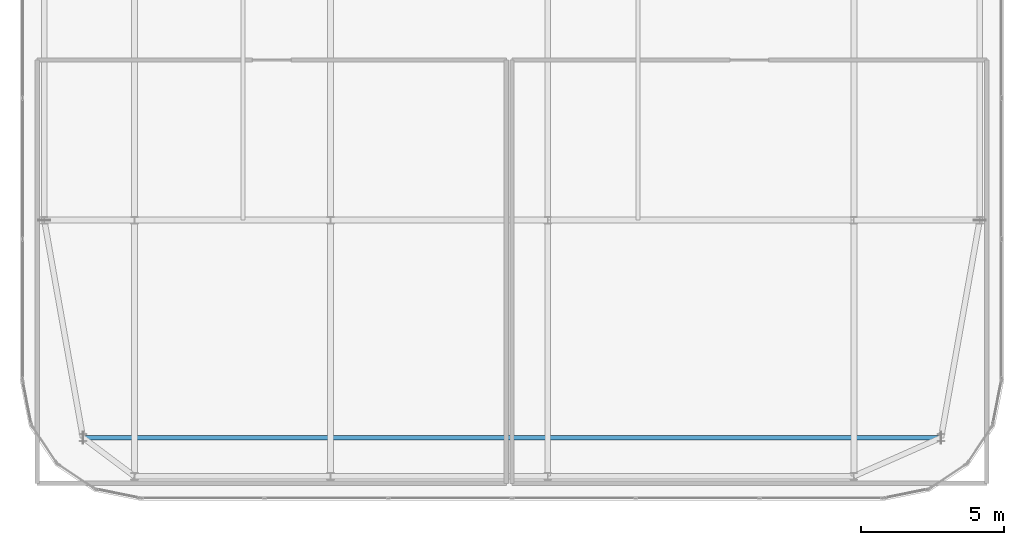
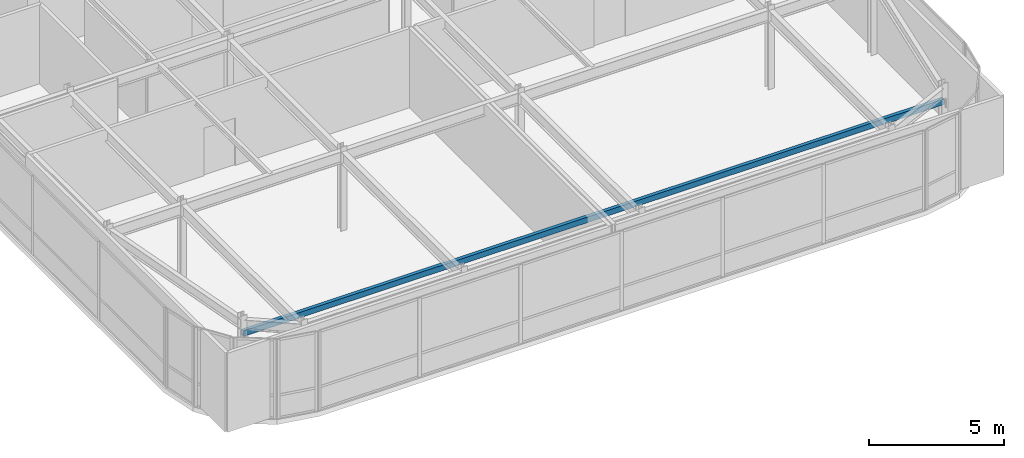
# One storey, part 11 of 36: 1 member.
"""IFC4 building model written with IfcOpenShell, lengths in metres."""

from ifc_helpers import new_model, si_unit, direction, frame, origin, origin_2d, place, context, subcontext, project, spatial, hollow_rectangle, extrude, source, transform, mapped, material, material_profile, profile_set, type_object, type_shapes, element, save


model = new_model("IFC4")

# Units and contexts
model_context = context("Model", 3, precision=1e-05, world=origin(), true_north=direction((0.0, 1.0)))
body_context = subcontext(model_context, "Body", "Model", "MODEL_VIEW")
ifc_project = project(units=[si_unit("LENGTHUNIT", "METRE"), si_unit("AREAUNIT", "SQUARE_METRE"), si_unit("VOLUMEUNIT", "CUBIC_METRE"), si_unit("PLANEANGLEUNIT", "RADIAN"), si_unit("MASSUNIT", "GRAM", prefix="KILO")], contexts=[model_context])

# Site, building, storey
site_placement = place(None, origin())
site = spatial("IfcSite", under=ifc_project, at=site_placement, CompositionType="ELEMENT")
building_placement = place(site_placement, origin())
building = spatial("IfcBuilding", under=site, at=building_placement, Name="Tolvann Quenvar Hotel", CompositionType="ELEMENT")
storey_placement = place(building_placement, frame((0.0, 0.0, 298.550048828125)))
storey = spatial("IfcBuildingStorey", under=building, at=storey_placement, Name="L79", CompositionType="ELEMENT", Elevation=298.550048828125)

# Member
ifc_material = material(Name="Steel Grade 450 (C450L0)", Category="steel")
ifc_material_profile = material_profile(ifc_material, hollow_rectangle(XDim=0.14990234375, YDim=0.25, WallThickness=0.009033203125, at=origin_2d()), Name="250x150x9RHS")
ifc_profile_set = profile_set([ifc_material_profile], Name="Steel Grade 450 (C450L0)")
member_type = type_object("IfcMemberType", Name="MEM_CROWN_250RHS", PredefinedType="USERDEFINED", material=ifc_profile_set)
shared_shape = source(origin(), body_context, "Body", "SweptSolid", [
    extrude(hollow_rectangle(XDim=0.14990234375, YDim=0.25, WallThickness=0.009033203125, at=origin_2d()), origin(), (0.0, 0.0, 1.0), 30.0),
])
type_shapes(member_type, [shared_shape])
member_placement = place(storey_placement, frame((5.800048828125, 8.39990234375, 2.929931640625), z_axis=(1.0, 0.0, 0.0), x_axis=(0.0, 1.0, 0.0)))
element("IfcMember", 1, at=member_placement, inside=storey, type_object=member_type, Name="Crown Frame Ring Member (L79-1)", ObjectType="CROWN FRAME", PredefinedType="USERDEFINED", context=body_context, shape_type="MappedRepresentation", body=[
    mapped(shared_shape, transform((0.0, 0.0, 0.0), x_axis=(1.0, 0.0, 0.0), y_axis=(0.0, 1.0, 0.0), z_axis=(0.0, 0.0, 1.0), scale=1.0)),
])

save(model, "model.ifc")
